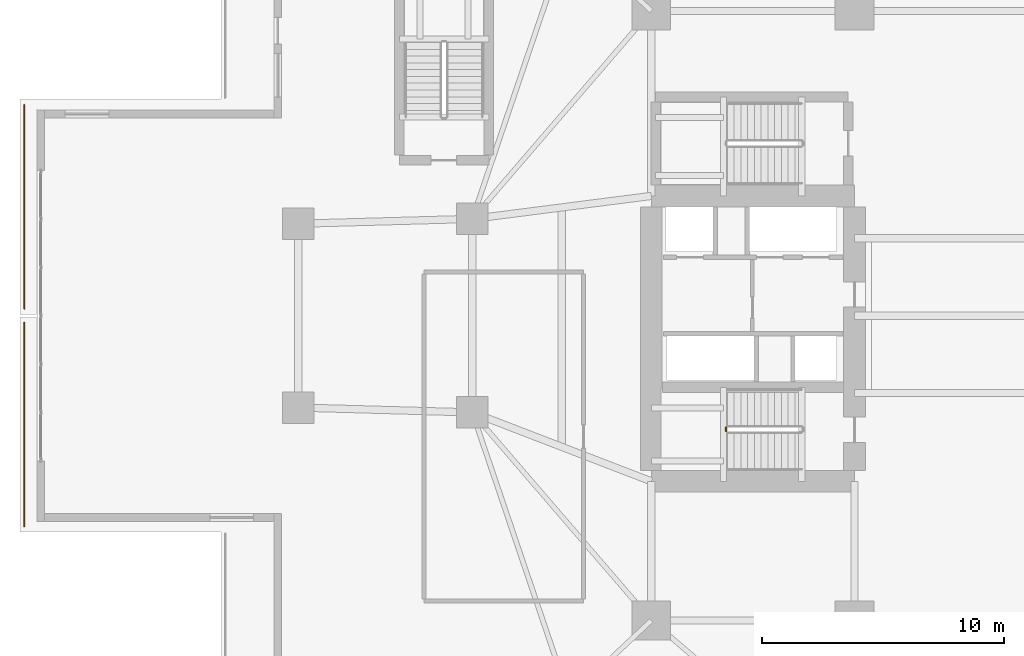
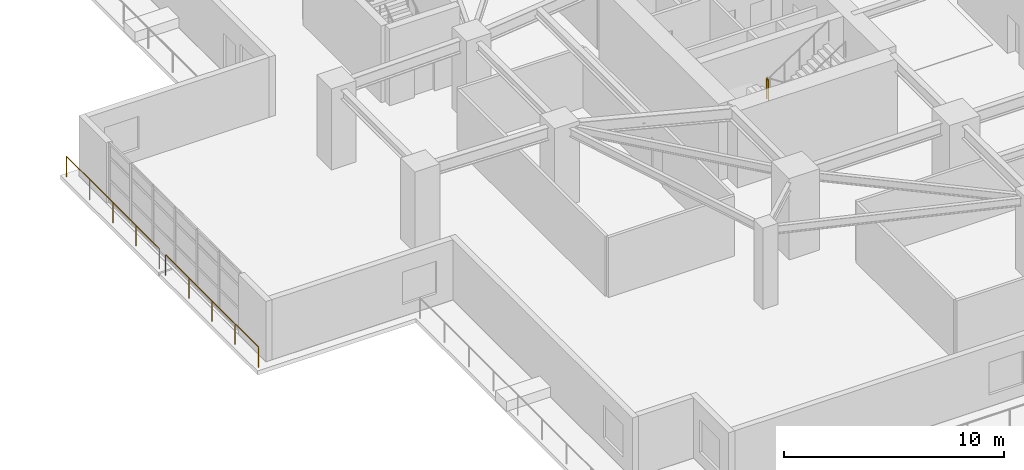
# One storey, part 19 of 23: 3 railings.
"""IFC4 building model written with IfcOpenShell, lengths in metres."""

from ifc_helpers import new_model, si_unit, direction, frame, origin, origin_2d, place, context, subcontext, project, spatial, circle, extrude, material, type_object, element, save


model = new_model("IFC4")

# Units and contexts
model_context = context("Model", 3, precision=1e-05, world=origin(), true_north=direction((0.0, 1.0)))
body_context = subcontext(model_context, "Body", "Model", "MODEL_VIEW")
ifc_project = project(units=[si_unit("LENGTHUNIT", "METRE"), si_unit("AREAUNIT", "SQUARE_METRE"), si_unit("VOLUMEUNIT", "CUBIC_METRE"), si_unit("PLANEANGLEUNIT", "RADIAN"), si_unit("MASSUNIT", "GRAM", prefix="KILO")], contexts=[model_context])

# Site, building, storey
site_placement = place(None, origin())
site = spatial("IfcSite", under=ifc_project, at=site_placement, CompositionType="ELEMENT")
building_placement = place(site_placement, origin())
building = spatial("IfcBuilding", under=site, at=building_placement, Name="Qingluan Cross Belvedere", CompositionType="ELEMENT")
storey_placement = place(building_placement, frame((0.0, 0.0, 10.199951171875)))
storey = spatial("IfcBuildingStorey", under=building, at=storey_placement, Name="L03", CompositionType="ELEMENT", Elevation=10.199951171875)

# Railings
ifc_material_1 = material(Name="Painted steel stair well guard", Category="steel")
railing_type_1 = type_object("IfcRailingType", Name="StairWellGuard_1150", PredefinedType="BALUSTRADE", material=ifc_material_1)
railing_placement = place(storey_placement, frame((-9.31005859375, -4.6201171875, 2.25)))
element("IfcRailing", 1, at=railing_placement, inside=storey, type_object=railing_type_1, Name="L03 ST1 stair guard 2", PredefinedType="BALUSTRADE", context=body_context, shape_type="SweptSolid", body=[
    extrude(circle(Radius=0.02392578125, at=origin_2d()), frame((0.0, 0.0, 1.1259765625), z_axis=(0.0, -1.0, 0.0), x_axis=(1.0, 0.0, 0.0)), (0.0, 0.0, 1.0), 0.159912109375),
    extrude(circle(Radius=0.02099609375, at=origin_2d()), origin(), (0.0, 0.0, 1.0), 1.101806640625),
    extrude(circle(Radius=0.02099609375, at=origin_2d()), frame((0.0, -0.159912109375, 0.0)), (0.0, 0.0, 1.0), 1.101806640625),
])
ifc_material_2 = material(Name="Laminated glass and stainless steel balustrade", Category="steel")
railing_type_2 = type_object("IfcRailingType", Name="TerraceGuardBalustrade_1150", PredefinedType="BALUSTRADE", material=ifc_material_2)
for number, where, name in (
    (2, (-38.320068359375, 0.2900390625, 0.0), "Terrace guard L03-1"),
    (3, (-38.320068359375, -8.7099609375, 0.0), "Terrace guard L03-6"),
):
    element("IfcRailing", number, at=place(storey_placement, frame(where)), inside=storey, type_object=railing_type_2, Name=name, PredefinedType="BALUSTRADE", context=body_context, shape_type="SweptSolid", body=[
        extrude(circle(Radius=0.02392578125, at=origin_2d()), frame((0.0, 0.0, 1.1259765625), z_axis=(0.0, 1.0, 0.0), x_axis=(-1.0, 0.0, 0.0)), (0.0, 0.0, 1.0), 8.419921875),
        extrude(circle(Radius=0.02099609375, at=origin_2d()), origin(), (0.0, 0.0, 1.0), 1.101806640625),
        extrude(circle(Radius=0.02099609375, at=origin_2d()), frame((0.0, 2.10498046875, 0.0)), (0.0, 0.0, 1.0), 1.101806640625),
        extrude(circle(Radius=0.02099609375, at=origin_2d()), frame((0.0, 4.2099609375, 0.0)), (0.0, 0.0, 1.0), 1.101806640625),
        extrude(circle(Radius=0.02099609375, at=origin_2d()), frame((0.0, 6.31494140625, 0.0)), (0.0, 0.0, 1.0), 1.101806640625),
        extrude(circle(Radius=0.02099609375, at=origin_2d()), frame((0.0, 8.419921875, 0.0)), (0.0, 0.0, 1.0), 1.101806640625),
    ])

save(model, "model.ifc")
